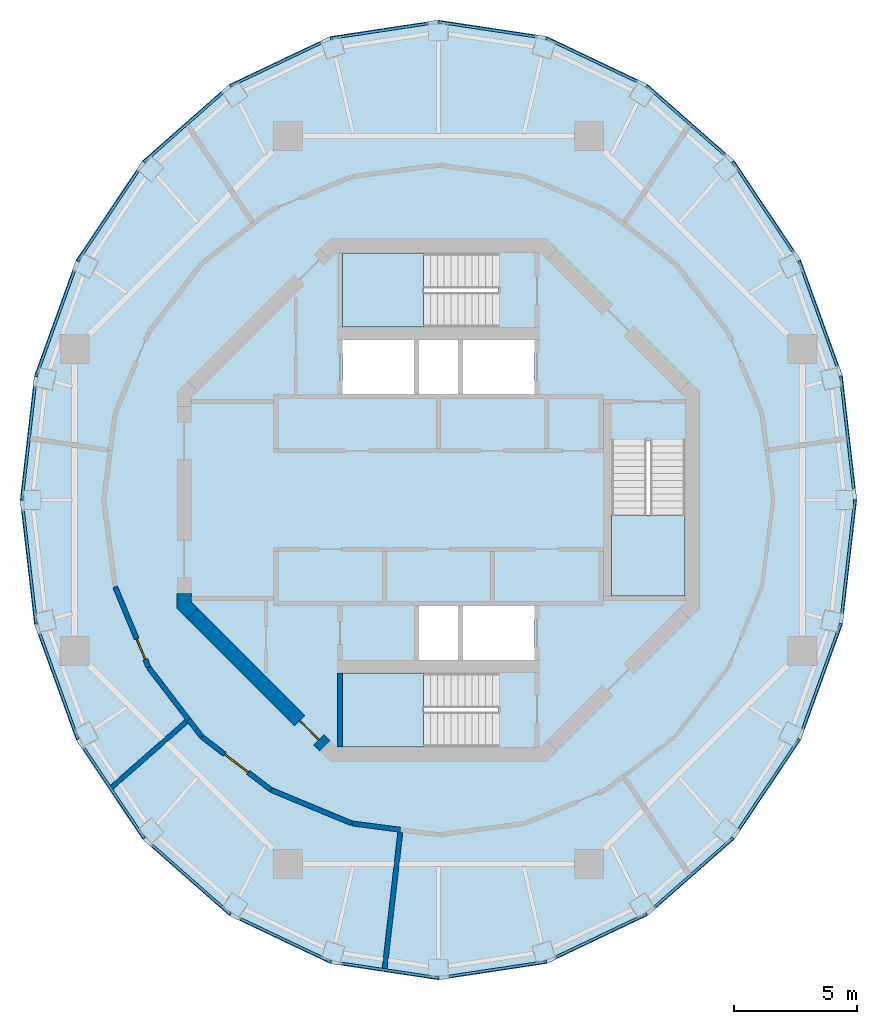
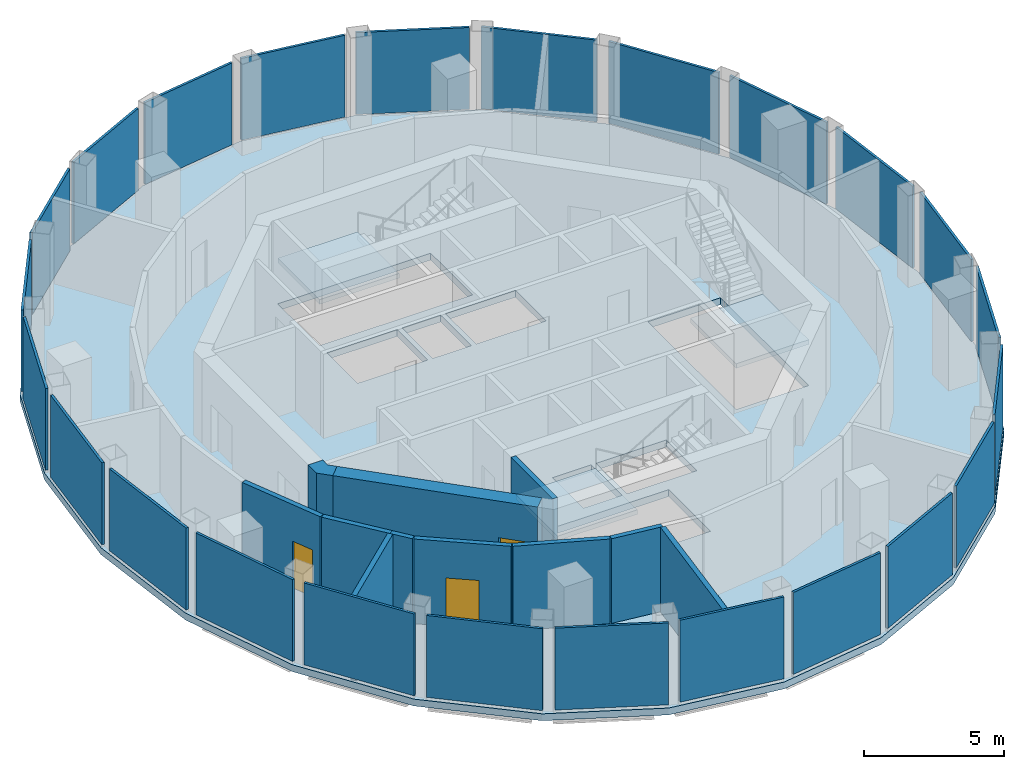
# One storey, part 7 of 11: 24 plates, 11 walls, 4 slabs, 3 doors, 3 openings, 27 elements without a shape of their own.
"""IFC4 building model written with IfcOpenShell, lengths in metres."""

from ifc_helpers import new_model, si_unit, direction, frame, frame_2d, origin, origin_2d, place, context, subcontext, project, spatial, polyline, rectangle, outline, extrude, material, layer, layer_set, type_object, element, fill, aggregate, save


model = new_model("IFC4")

# Units and contexts
model_context = context("Model", 3, precision=1e-05, world=origin(), true_north=direction((0.0, 1.0)))
body_context = subcontext(model_context, "Body", "Model", "MODEL_VIEW")
ifc_project = project(units=[si_unit("LENGTHUNIT", "METRE"), si_unit("AREAUNIT", "SQUARE_METRE"), si_unit("VOLUMEUNIT", "CUBIC_METRE"), si_unit("PLANEANGLEUNIT", "RADIAN"), si_unit("MASSUNIT", "GRAM", prefix="KILO")], contexts=[model_context])

# Site, building, storey
site_placement = place(None, origin())
site = spatial("IfcSite", under=ifc_project, at=site_placement, CompositionType="ELEMENT")
building_placement = place(site_placement, origin())
building = spatial("IfcBuilding", under=site, at=building_placement, Name="Nagisa Residences", CompositionType="ELEMENT")
storey_placement = place(building_placement, frame((0.0, 0.0, 336.89990234375)))
storey = spatial("IfcBuildingStorey", under=building, at=storey_placement, Name="L83", CompositionType="ELEMENT", Elevation=336.89990234375)

# Curtain wall, plate
ifc_material_1 = material(Name="Aluminium curtain wall system", Category="aluminium")
ifc_layer_1 = layer(ifc_material_1, 0.159912109375)
ifc_layer_set_1 = layer_set([ifc_layer_1], Name="CW5 CURTAIN WALL")
curtain_wall_type = type_object("IfcCurtainWallType", Name="CW5 CURTAIN WALL", PredefinedType="NOTDEFINED", material=ifc_layer_set_1)
curtain_wall_1_placement = place(storey_placement, origin())
curtain_wall_1 = element("IfcCurtainWall", 1, at=curtain_wall_1_placement, inside=storey, type_object=curtain_wall_type, Name="cw:CW5:L83:00", PredefinedType="NOTDEFINED")
ifc_material_2 = material(Name="Aluminium louvre", Category="aluminium")
ifc_layer_2 = layer(ifc_material_2, 0.10009765625)
ifc_layer_set_2 = layer_set([ifc_layer_2], Name="CW5 LOUVRE PANEL")
plate_type = type_object("IfcPlateType", Name="CW5 LOUVRE PANEL", PredefinedType="CURTAIN_PANEL", material=ifc_layer_set_2)
plate_1_placement = place(storey_placement, frame((16.604736328125, 2.742919921875, 0.1201171875), z_axis=(0.0, 0.0, 1.0), x_axis=(-0.114025397474, 0.993477835048, 0.0)))
plate_1 = element("IfcPlate", 2, at=plate_1_placement, type_object=plate_type, Name="CW5 panel", PredefinedType="CURTAIN_PANEL", context=body_context, shape_type="SweptSolid", body=[
    extrude(rectangle(XDim=4.6201171875, YDim=0.10009765625, at=origin_2d()), origin(), (0.0, 0.0, 1.0), 3.580078125),
])
aggregate(curtain_wall_1, [plate_1])

curtain_wall_2_placement = place(storey_placement, origin())
curtain_wall_2 = element("IfcCurtainWall", 3, at=curtain_wall_2_placement, inside=storey, type_object=curtain_wall_type, Name="cw:CW5:L83:01", PredefinedType="NOTDEFINED")
plate_2_placement = place(storey_placement, frame((15.418212890625, 7.587646484375, 0.1201171875), z_axis=(0.0, 0.0, 1.0), x_axis=(-0.339642923136, 0.940554456033, 0.0)))
plate_2 = element("IfcPlate", 4, at=plate_2_placement, type_object=plate_type, Name="CW5 panel", PredefinedType="CURTAIN_PANEL", context=body_context, shape_type="SweptSolid", body=[
    extrude(rectangle(XDim=4.540283203125, YDim=0.10009765625, at=origin_2d()), origin(), (0.0, 0.0, 1.0), 3.580078125),
])
aggregate(curtain_wall_2, [plate_2])

curtain_wall_3_placement = place(storey_placement, origin())
curtain_wall_3 = element("IfcCurtainWall", 5, at=curtain_wall_3_placement, inside=storey, type_object=curtain_wall_type, Name="cw:CW5:L83:02", PredefinedType="NOTDEFINED")
plate_3_placement = place(storey_placement, frame((13.17724609375, 11.916015625, 0.1201171875), z_axis=(0.0, 0.0, 1.0), x_axis=(-0.556014393027, 0.831172662415, 0.0)))
plate_3 = element("IfcPlate", 6, at=plate_3_placement, type_object=plate_type, Name="CW5 panel", PredefinedType="CURTAIN_PANEL", context=body_context, shape_type="SweptSolid", body=[
    extrude(rectangle(XDim=4.39892578125, YDim=0.10009765625, at=origin_2d()), origin(), (0.0, 0.0, 1.0), 3.580078125),
])
aggregate(curtain_wall_3, [plate_3])

curtain_wall_4_placement = place(storey_placement, origin())
curtain_wall_4 = element("IfcCurtainWall", 7, at=curtain_wall_4_placement, inside=storey, type_object=curtain_wall_type, Name="cw:CW5:L83:03", PredefinedType="NOTDEFINED")
plate_4_placement = place(storey_placement, frame((10.034912109375, 15.429931640625, 0.1201171875), z_axis=(0.0, 0.0, 1.0), x_axis=(-0.750650526795, 0.660699467703, 0.0)))
plate_4 = element("IfcPlate", 8, at=plate_4_placement, type_object=plate_type, Name="CW5 panel", PredefinedType="CURTAIN_PANEL", context=body_context, shape_type="SweptSolid", body=[
    extrude(rectangle(XDim=4.23046875, YDim=0.10009765625, at=origin_2d()), origin(), (0.0, 0.0, 1.0), 3.580078125),
])
aggregate(curtain_wall_4, [plate_4])

curtain_wall_5_placement = place(storey_placement, origin())
curtain_wall_5 = element("IfcCurtainWall", 9, at=curtain_wall_5_placement, inside=storey, type_object=curtain_wall_type, Name="cw:CW5:L83:04", PredefinedType="NOTDEFINED")
plate_5_placement = place(storey_placement, frame((6.2080078125, 17.887939453125, 0.1201171875), z_axis=(0.0, 0.0, 1.0), x_axis=(-0.903232929992, 0.429150642757, 0.0)))
plate_5 = element("IfcPlate", 10, at=plate_5_placement, type_object=plate_type, Name="CW5 panel", PredefinedType="CURTAIN_PANEL", context=body_context, shape_type="SweptSolid", body=[
    extrude(rectangle(XDim=4.079345703125, YDim=0.10009765625, at=origin_2d()), origin(), (0.0, 0.0, 1.0), 3.580078125),
])
aggregate(curtain_wall_5, [plate_5])

curtain_wall_6_placement = place(storey_placement, origin())
curtain_wall_6 = element("IfcCurtainWall", 11, at=curtain_wall_6_placement, inside=storey, type_object=curtain_wall_type, Name="cw:CW5:L83:05", PredefinedType="NOTDEFINED")
plate_6_placement = place(storey_placement, frame((1.960693359375, 19.123046875, 0.1201171875), z_axis=(0.0, 0.0, 1.0), x_axis=(-0.988788904158, 0.149320135997, 0.0)))
plate_6 = element("IfcPlate", 12, at=plate_6_placement, type_object=plate_type, Name="CW5 panel", PredefinedType="CURTAIN_PANEL", context=body_context, shape_type="SweptSolid", body=[
    extrude(rectangle(XDim=3.98974609375, YDim=0.10009765625, at=origin_2d()), origin(), (0.0, 0.0, 1.0), 3.580078125),
])
aggregate(curtain_wall_6, [plate_6])

curtain_wall_7_placement = place(storey_placement, origin())
curtain_wall_7 = element("IfcCurtainWall", 13, at=curtain_wall_7_placement, inside=storey, type_object=curtain_wall_type, Name="cw:CW5:L83:06", PredefinedType="NOTDEFINED")
plate_7_placement = place(storey_placement, frame((-2.41552734375, 19.054443359375, 0.1201171875), z_axis=(0.0, 0.0, 1.0), x_axis=(-0.988788904158, -0.149320135997, 0.0)))
plate_7 = element("IfcPlate", 14, at=plate_7_placement, type_object=plate_type, Name="CW5 panel", PredefinedType="CURTAIN_PANEL", context=body_context, shape_type="SweptSolid", body=[
    extrude(rectangle(XDim=3.98974609375, YDim=0.10009765625, at=origin_2d()), origin(), (0.0, 0.0, 1.0), 3.580078125),
])
aggregate(curtain_wall_7, [plate_7])

curtain_wall_8_placement = place(storey_placement, origin())
curtain_wall_8 = element("IfcCurtainWall", 15, at=curtain_wall_8_placement, inside=storey, type_object=curtain_wall_type, Name="cw:CW5:L83:07", PredefinedType="NOTDEFINED")
plate_8_placement = place(storey_placement, frame((-6.623291015625, 17.690673828125, 0.1201171875), z_axis=(0.0, 0.0, 1.0), x_axis=(-0.903232929992, -0.429150642757, 0.0)))
plate_8 = element("IfcPlate", 16, at=plate_8_placement, type_object=plate_type, Name="CW5 panel", PredefinedType="CURTAIN_PANEL", context=body_context, shape_type="SweptSolid", body=[
    extrude(rectangle(XDim=4.079345703125, YDim=0.10009765625, at=origin_2d()), origin(), (0.0, 0.0, 1.0), 3.580078125),
])
aggregate(curtain_wall_8, [plate_8])

curtain_wall_9_placement = place(storey_placement, origin())
curtain_wall_9 = element("IfcCurtainWall", 17, at=curtain_wall_9_placement, inside=storey, type_object=curtain_wall_type, Name="cw:CW5:L83:08", PredefinedType="NOTDEFINED")
plate_9_placement = place(storey_placement, frame((-10.380126953125, 15.1259765625, 0.1201171875), z_axis=(0.0, 0.0, 1.0), x_axis=(-0.750650526795, -0.660699467703, 0.0)))
plate_9 = element("IfcPlate", 18, at=plate_9_placement, type_object=plate_type, Name="CW5 panel", PredefinedType="CURTAIN_PANEL", context=body_context, shape_type="SweptSolid", body=[
    extrude(rectangle(XDim=4.23046875, YDim=0.10009765625, at=origin_2d()), origin(), (0.0, 0.0, 1.0), 3.580078125),
])
aggregate(curtain_wall_9, [plate_9])

curtain_wall_10_placement = place(storey_placement, origin())
curtain_wall_10 = element("IfcCurtainWall", 19, at=curtain_wall_10_placement, inside=storey, type_object=curtain_wall_type, Name="cw:CW5:L83:09", PredefinedType="NOTDEFINED")
plate_10_placement = place(storey_placement, frame((-13.43310546875, 11.53369140625, 0.1201171875), z_axis=(0.0, 0.0, 1.0), x_axis=(-0.556014393027, -0.831172662415, 0.0)))
plate_10 = element("IfcPlate", 20, at=plate_10_placement, type_object=plate_type, Name="CW5 panel", PredefinedType="CURTAIN_PANEL", context=body_context, shape_type="SweptSolid", body=[
    extrude(rectangle(XDim=4.39892578125, YDim=0.10009765625, at=origin_2d()), origin(), (0.0, 0.0, 1.0), 3.580078125),
])
aggregate(curtain_wall_10, [plate_10])

curtain_wall_11_placement = place(storey_placement, origin())
curtain_wall_11 = element("IfcCurtainWall", 21, at=curtain_wall_11_placement, inside=storey, type_object=curtain_wall_type, Name="cw:CW5:L83:10", PredefinedType="NOTDEFINED")
plate_11_placement = place(storey_placement, frame((-15.574462890625, 7.155029296875, 0.1201171875), z_axis=(0.0, 0.0, 1.0), x_axis=(-0.339642923136, -0.940554456033, 0.0)))
plate_11 = element("IfcPlate", 22, at=plate_11_placement, type_object=plate_type, Name="CW5 panel", PredefinedType="CURTAIN_PANEL", context=body_context, shape_type="SweptSolid", body=[
    extrude(rectangle(XDim=4.540283203125, YDim=0.10009765625, at=origin_2d()), origin(), (0.0, 0.0, 1.0), 3.580078125),
])
aggregate(curtain_wall_11, [plate_11])

curtain_wall_12_placement = place(storey_placement, origin())
curtain_wall_12 = element("IfcCurtainWall", 23, at=curtain_wall_12_placement, inside=storey, type_object=curtain_wall_type, Name="cw:CW5:L83:11", PredefinedType="NOTDEFINED")
plate_12_placement = place(storey_placement, frame((-16.6572265625, 2.285888671875, 0.1201171875), z_axis=(0.0, 0.0, 1.0), x_axis=(-0.114025397474, -0.993477835048, 0.0)))
plate_12 = element("IfcPlate", 24, at=plate_12_placement, type_object=plate_type, Name="CW5 panel", PredefinedType="CURTAIN_PANEL", context=body_context, shape_type="SweptSolid", body=[
    extrude(rectangle(XDim=4.6201171875, YDim=0.10009765625, at=origin_2d()), origin(), (0.0, 0.0, 1.0), 3.580078125),
])
aggregate(curtain_wall_12, [plate_12])

curtain_wall_13_placement = place(storey_placement, origin())
curtain_wall_13 = element("IfcCurtainWall", 25, at=curtain_wall_13_placement, inside=storey, type_object=curtain_wall_type, Name="cw:CW5:L83:12", PredefinedType="NOTDEFINED")
plate_13_placement = place(storey_placement, frame((-16.604736328125, -2.742919921875, 0.1201171875), z_axis=(0.0, 0.0, 1.0), x_axis=(0.114025397474, -0.993477835048, 0.0)))
plate_13 = element("IfcPlate", 26, at=plate_13_placement, type_object=plate_type, Name="CW5 panel", PredefinedType="CURTAIN_PANEL", context=body_context, shape_type="SweptSolid", body=[
    extrude(rectangle(XDim=4.6201171875, YDim=0.10009765625, at=origin_2d()), origin(), (0.0, 0.0, 1.0), 3.580078125),
])
aggregate(curtain_wall_13, [plate_13])

curtain_wall_14_placement = place(storey_placement, origin())
curtain_wall_14 = element("IfcCurtainWall", 27, at=curtain_wall_14_placement, inside=storey, type_object=curtain_wall_type, Name="cw:CW5:L83:13", PredefinedType="NOTDEFINED")
plate_14_placement = place(storey_placement, frame((-15.418212890625, -7.587646484375, 0.1201171875), z_axis=(0.0, 0.0, 1.0), x_axis=(0.339642923136, -0.940554456033, 0.0)))
plate_14 = element("IfcPlate", 28, at=plate_14_placement, type_object=plate_type, Name="CW5 panel", PredefinedType="CURTAIN_PANEL", context=body_context, shape_type="SweptSolid", body=[
    extrude(rectangle(XDim=4.540283203125, YDim=0.10009765625, at=origin_2d()), origin(), (0.0, 0.0, 1.0), 3.580078125),
])
aggregate(curtain_wall_14, [plate_14])

curtain_wall_15_placement = place(storey_placement, origin())
curtain_wall_15 = element("IfcCurtainWall", 29, at=curtain_wall_15_placement, inside=storey, type_object=curtain_wall_type, Name="cw:CW5:L83:14", PredefinedType="NOTDEFINED")
plate_15_placement = place(storey_placement, frame((-13.17724609375, -11.916015625, 0.1201171875), z_axis=(0.0, 0.0, 1.0), x_axis=(0.556014393027, -0.831172662415, 0.0)))
plate_15 = element("IfcPlate", 30, at=plate_15_placement, type_object=plate_type, Name="CW5 panel", PredefinedType="CURTAIN_PANEL", context=body_context, shape_type="SweptSolid", body=[
    extrude(rectangle(XDim=4.39892578125, YDim=0.10009765625, at=origin_2d()), origin(), (0.0, 0.0, 1.0), 3.580078125),
])
aggregate(curtain_wall_15, [plate_15])

curtain_wall_16_placement = place(storey_placement, origin())
curtain_wall_16 = element("IfcCurtainWall", 31, at=curtain_wall_16_placement, inside=storey, type_object=curtain_wall_type, Name="cw:CW5:L83:15", PredefinedType="NOTDEFINED")
plate_16_placement = place(storey_placement, frame((-10.034912109375, -15.429931640625, 0.1201171875), z_axis=(0.0, 0.0, 1.0), x_axis=(0.750650526795, -0.660699467703, 0.0)))
plate_16 = element("IfcPlate", 32, at=plate_16_placement, type_object=plate_type, Name="CW5 panel", PredefinedType="CURTAIN_PANEL", context=body_context, shape_type="SweptSolid", body=[
    extrude(rectangle(XDim=4.23046875, YDim=0.10009765625, at=origin_2d()), origin(), (0.0, 0.0, 1.0), 3.580078125),
])
aggregate(curtain_wall_16, [plate_16])

curtain_wall_17_placement = place(storey_placement, origin())
curtain_wall_17 = element("IfcCurtainWall", 33, at=curtain_wall_17_placement, inside=storey, type_object=curtain_wall_type, Name="cw:CW5:L83:16", PredefinedType="NOTDEFINED")
plate_17_placement = place(storey_placement, frame((-6.2080078125, -17.887939453125, 0.1201171875), z_axis=(0.0, 0.0, 1.0), x_axis=(0.903232929992, -0.429150642757, 0.0)))
plate_17 = element("IfcPlate", 34, at=plate_17_placement, type_object=plate_type, Name="CW5 panel", PredefinedType="CURTAIN_PANEL", context=body_context, shape_type="SweptSolid", body=[
    extrude(rectangle(XDim=4.079345703125, YDim=0.10009765625, at=origin_2d()), origin(), (0.0, 0.0, 1.0), 3.580078125),
])
aggregate(curtain_wall_17, [plate_17])

curtain_wall_18_placement = place(storey_placement, origin())
curtain_wall_18 = element("IfcCurtainWall", 35, at=curtain_wall_18_placement, inside=storey, type_object=curtain_wall_type, Name="cw:CW5:L83:17", PredefinedType="NOTDEFINED")
plate_18_placement = place(storey_placement, frame((-1.960693359375, -19.123046875, 0.1201171875), z_axis=(0.0, 0.0, 1.0), x_axis=(0.988788904158, -0.149320135997, 0.0)))
plate_18 = element("IfcPlate", 36, at=plate_18_placement, type_object=plate_type, Name="CW5 panel", PredefinedType="CURTAIN_PANEL", context=body_context, shape_type="SweptSolid", body=[
    extrude(rectangle(XDim=3.98974609375, YDim=0.10009765625, at=origin_2d()), origin(), (0.0, 0.0, 1.0), 3.580078125),
])
aggregate(curtain_wall_18, [plate_18])

curtain_wall_19_placement = place(storey_placement, origin())
curtain_wall_19 = element("IfcCurtainWall", 37, at=curtain_wall_19_placement, inside=storey, type_object=curtain_wall_type, Name="cw:CW5:L83:18", PredefinedType="NOTDEFINED")
plate_19_placement = place(storey_placement, frame((2.41552734375, -19.054443359375, 0.1201171875), z_axis=(0.0, 0.0, 1.0), x_axis=(0.988788904158, 0.149320135997, 0.0)))
plate_19 = element("IfcPlate", 38, at=plate_19_placement, type_object=plate_type, Name="CW5 panel", PredefinedType="CURTAIN_PANEL", context=body_context, shape_type="SweptSolid", body=[
    extrude(rectangle(XDim=3.98974609375, YDim=0.10009765625, at=origin_2d()), origin(), (0.0, 0.0, 1.0), 3.580078125),
])
aggregate(curtain_wall_19, [plate_19])

curtain_wall_20_placement = place(storey_placement, origin())
curtain_wall_20 = element("IfcCurtainWall", 39, at=curtain_wall_20_placement, inside=storey, type_object=curtain_wall_type, Name="cw:CW5:L83:19", PredefinedType="NOTDEFINED")
plate_20_placement = place(storey_placement, frame((6.623291015625, -17.690673828125, 0.1201171875), z_axis=(0.0, 0.0, 1.0), x_axis=(0.903232929992, 0.429150642757, 0.0)))
plate_20 = element("IfcPlate", 40, at=plate_20_placement, type_object=plate_type, Name="CW5 panel", PredefinedType="CURTAIN_PANEL", context=body_context, shape_type="SweptSolid", body=[
    extrude(rectangle(XDim=4.079345703125, YDim=0.10009765625, at=origin_2d()), origin(), (0.0, 0.0, 1.0), 3.580078125),
])
aggregate(curtain_wall_20, [plate_20])

curtain_wall_21_placement = place(storey_placement, origin())
curtain_wall_21 = element("IfcCurtainWall", 41, at=curtain_wall_21_placement, inside=storey, type_object=curtain_wall_type, Name="cw:CW5:L83:20", PredefinedType="NOTDEFINED")
plate_21_placement = place(storey_placement, frame((10.380126953125, -15.1259765625, 0.1201171875), z_axis=(0.0, 0.0, 1.0), x_axis=(0.750650526795, 0.660699467703, 0.0)))
plate_21 = element("IfcPlate", 42, at=plate_21_placement, type_object=plate_type, Name="CW5 panel", PredefinedType="CURTAIN_PANEL", context=body_context, shape_type="SweptSolid", body=[
    extrude(rectangle(XDim=4.23046875, YDim=0.10009765625, at=origin_2d()), origin(), (0.0, 0.0, 1.0), 3.580078125),
])
aggregate(curtain_wall_21, [plate_21])

curtain_wall_22_placement = place(storey_placement, origin())
curtain_wall_22 = element("IfcCurtainWall", 43, at=curtain_wall_22_placement, inside=storey, type_object=curtain_wall_type, Name="cw:CW5:L83:21", PredefinedType="NOTDEFINED")
plate_22_placement = place(storey_placement, frame((13.43310546875, -11.53369140625, 0.1201171875), z_axis=(0.0, 0.0, 1.0), x_axis=(0.556014393027, 0.831172662415, 0.0)))
plate_22 = element("IfcPlate", 44, at=plate_22_placement, type_object=plate_type, Name="CW5 panel", PredefinedType="CURTAIN_PANEL", context=body_context, shape_type="SweptSolid", body=[
    extrude(rectangle(XDim=4.39892578125, YDim=0.10009765625, at=origin_2d()), origin(), (0.0, 0.0, 1.0), 3.580078125),
])
aggregate(curtain_wall_22, [plate_22])

curtain_wall_23_placement = place(storey_placement, origin())
curtain_wall_23 = element("IfcCurtainWall", 45, at=curtain_wall_23_placement, inside=storey, type_object=curtain_wall_type, Name="cw:CW5:L83:22", PredefinedType="NOTDEFINED")
plate_23_placement = place(storey_placement, frame((15.574462890625, -7.155029296875, 0.1201171875), z_axis=(0.0, 0.0, 1.0), x_axis=(0.339642923136, 0.940554456033, 0.0)))
plate_23 = element("IfcPlate", 46, at=plate_23_placement, type_object=plate_type, Name="CW5 panel", PredefinedType="CURTAIN_PANEL", context=body_context, shape_type="SweptSolid", body=[
    extrude(rectangle(XDim=4.540283203125, YDim=0.10009765625, at=origin_2d()), origin(), (0.0, 0.0, 1.0), 3.580078125),
])
aggregate(curtain_wall_23, [plate_23])

curtain_wall_24_placement = place(storey_placement, origin())
curtain_wall_24 = element("IfcCurtainWall", 47, at=curtain_wall_24_placement, inside=storey, type_object=curtain_wall_type, Name="cw:CW5:L83:23", PredefinedType="NOTDEFINED")
plate_24_placement = place(storey_placement, frame((16.6572265625, -2.285888671875, 0.1201171875), z_axis=(0.0, 0.0, 1.0), x_axis=(0.114025397474, 0.993477835048, 0.0)))
plate_24 = element("IfcPlate", 48, at=plate_24_placement, type_object=plate_type, Name="CW5 panel", PredefinedType="CURTAIN_PANEL", context=body_context, shape_type="SweptSolid", body=[
    extrude(rectangle(XDim=4.6201171875, YDim=0.10009765625, at=origin_2d()), origin(), (0.0, 0.0, 1.0), 3.580078125),
])
aggregate(curtain_wall_24, [plate_24])

# Slab
ifc_material_3 = material(Name="Concrete C40", Category="concrete")
ifc_layer_3 = layer(ifc_material_3, 0.300048828125)
ifc_layer_set_3 = layer_set([ifc_layer_3], Name="Floor slab 300")
slab_type_1 = type_object("IfcSlabType", Name="Floor slab 300", PredefinedType="FLOOR", material=ifc_layer_set_3)
slab_1_placement = place(storey_placement, frame((0.0, 0.0, -0.2998046875)))
element("IfcSlab", 49, at=slab_1_placement, inside=storey, type_object=slab_type_1, Name="slab:L83:floor", PredefinedType="FLOOR", context=body_context, shape_type="SweptSolid", body=[
    extrude(outline(polyline([(17.0, 0.0), (16.420654296875, 5.046875), (14.722412109375, 9.75), (12.020751953125, 13.78857421875), (8.5, 16.887451171875), (4.39990234375, 18.83544921875), (0.0, 19.5), (-4.39990234375, 18.83544921875), (-8.5, 16.887451171875), (-12.020751953125, 13.78857421875), (-14.722412109375, 9.75), (-16.420654296875, 5.046875), (-17.0, 0.0), (-16.420654296875, -5.046875), (-14.722412109375, -9.75), (-12.020751953125, -13.78857421875), (-8.5, -16.887451171875), (-4.39990234375, -18.83544921875), (0.0, -19.5), (4.39990234375, -18.83544921875), (8.5, -16.887451171875), (12.020751953125, -13.78857421875), (14.722412109375, -9.75), (16.420654296875, -5.046875), (17.0, 0.0)]), holes=[polyline([(3.89990234375, 4.300048828125), (3.89990234375, 6.5), (1.0, 6.5), (1.0, 4.300048828125), (3.89990234375, 4.300048828125)]), polyline([(3.89990234375, -6.5), (3.89990234375, -4.300048828125), (1.0, -4.300048828125), (1.0, -6.5), (3.89990234375, -6.5)]), polyline([(-1.0, 4.300048828125), (-1.0, 6.5), (-3.89990234375, 6.5), (-3.89990234375, 4.300048828125), (-1.0, 4.300048828125)]), polyline([(0.800048828125, 4.300048828125), (0.800048828125, 6.5), (-0.800048828125, 6.5), (-0.800048828125, 4.300048828125), (0.800048828125, 4.300048828125)]), polyline([(0.800048828125, -6.5), (0.800048828125, -4.300048828125), (-0.800048828125, -4.300048828125), (-0.800048828125, -6.5), (0.800048828125, -6.5)]), polyline([(10.024658203125, -3.89990234375), (7.024658203125, -3.89990234375), (7.024658203125, 2.425048828125), (10.024658203125, 2.425048828125), (10.024658203125, -3.89990234375)]), polyline([(-3.89990234375, 7.024658203125), (-3.89990234375, 10.024658203125), (2.425048828125, 10.024658203125), (2.425048828125, 7.024658203125), (-3.89990234375, 7.024658203125)]), polyline([(-3.89990234375, -10.024658203125), (-3.89990234375, -7.024658203125), (2.425048828125, -7.024658203125), (2.425048828125, -10.024658203125), (-3.89990234375, -10.024658203125)])]), origin(), (0.0, 0.0, 1.0), 0.2998046875),
])

# Stair, slab
ifc_material_4 = material(Name="Concrete C60", Category="concrete")
stair_type = type_object("IfcStairType", Name="Exit stair", PredefinedType="HALF_TURN_STAIR", material=ifc_material_4)
stair_1_placement = place(storey_placement, origin())
stair_1 = element("IfcStair", 50, at=stair_1_placement, inside=storey, type_object=stair_type, Name="L83 Exit stair E", PredefinedType="HALF_TURN_STAIR")
ifc_material_5 = material(Name="Concrete C60", Category="concrete")
ifc_layer_4 = layer(ifc_material_5, 0.199951171875)
ifc_layer_set_4 = layer_set([ifc_layer_4], Name="Stair landing")
slab_type_2 = type_object("IfcSlabType", Name="Stair landing", PredefinedType="LANDING", material=ifc_layer_set_4)
slab_2_placement = place(storey_placement, frame((0.0, 0.0, 1.800048828125)))
slab_2 = element("IfcSlab", 51, at=slab_2_placement, type_object=slab_type_2, Name="ST-E landing 1", PredefinedType="LANDING", context=body_context, shape_type="SweptSolid", body=[
    extrude(outline(polyline([(7.024658203125, -0.60498046875), (7.024658203125, -3.89990234375), (10.024658203125, -3.89990234375), (10.024658203125, -0.60498046875), (7.024658203125, -0.60498046875)])), origin(), (0.0, 0.0, 1.0), 0.199951171875),
])
aggregate(stair_1, [slab_2])

stair_2_placement = place(storey_placement, origin())
stair_2 = element("IfcStair", 52, at=stair_2_placement, inside=storey, type_object=stair_type, Name="L83 Exit stair N", PredefinedType="HALF_TURN_STAIR")
slab_3_placement = place(storey_placement, frame((0.0, 0.0, 1.800048828125)))
slab_3 = element("IfcSlab", 53, at=slab_3_placement, type_object=slab_type_2, Name="ST-N landing 1", PredefinedType="LANDING", context=body_context, shape_type="SweptSolid", body=[
    extrude(outline(polyline([(-0.60498046875, 10.024658203125), (-3.89990234375, 10.024658203125), (-3.89990234375, 7.024658203125), (-0.60498046875, 7.024658203125), (-0.60498046875, 10.024658203125)])), origin(), (0.0, 0.0, 1.0), 0.199951171875),
])
aggregate(stair_2, [slab_3])

stair_3_placement = place(storey_placement, origin())
stair_3 = element("IfcStair", 54, at=stair_3_placement, inside=storey, type_object=stair_type, Name="L83 Exit stair S", PredefinedType="HALF_TURN_STAIR")
slab_4_placement = place(storey_placement, frame((0.0, 0.0, 1.800048828125)))
slab_4 = element("IfcSlab", 55, at=slab_4_placement, type_object=slab_type_2, Name="ST-S landing 1", PredefinedType="LANDING", context=body_context, shape_type="SweptSolid", body=[
    extrude(outline(polyline([(-0.60498046875, -7.024658203125), (-3.89990234375, -7.024658203125), (-3.89990234375, -10.024658203125), (-0.60498046875, -10.024658203125), (-0.60498046875, -7.024658203125)])), origin(), (0.0, 0.0, 1.0), 0.199951171875),
])
aggregate(stair_3, [slab_4])

# Wall, opening, door
ifc_material_6 = material(Name="Concrete C60", Category="concrete")
ifc_layer_5 = layer(ifc_material_6, 0.60009765625)
ifc_layer_set_5 = layer_set([ifc_layer_5], Name="Core shear wall 600")
wall_type_1 = type_object("IfcWallType", Name="Core shear wall 600", PredefinedType="SHEAR", material=ifc_layer_set_5)
wall_1_placement = place(storey_placement, frame((-9.98828125, -4.613037109375, 0.0), z_axis=(0.0, 0.0, 1.0), x_axis=(0.707106781187, -0.707106781187, 0.0)))
wall_1 = element("IfcWall", 56, at=wall_1_placement, inside=storey, type_object=wall_type_1, Name="wall:L83:core:flat5", PredefinedType="SHEAR", context=body_context, shape_type="SweptSolid", body=[
    extrude(rectangle(XDim=7.601806640625, YDim=0.60009765625, at=frame_2d((3.80078125, 0.0))), origin(), (0.0, 0.0, 1.0), 3.7001953125),
])
opening_1_placement = place(wall_1_placement, frame((6.15087890625, 0.0, 0.0)))
opening_1 = element("IfcOpeningElement", 57, at=opening_1_placement, cuts=wall_1, Name="Opening L83-C21", PredefinedType="OPENING", context=body_context, shape_type="SweptSolid", body=[
    extrude(rectangle(XDim=1.10009765625, YDim=2.10009765625, at=frame_2d((0.550048828125, 1.050048828125))), frame((0.0, 0.31005859375, 0.0), z_axis=(0.0, -1.0, 0.0), x_axis=(1.0, 0.0, 0.0)), (0.0, 0.0, 1.0), 0.6201171875),
])
ifc_material_7 = material(Name="Steel fire door", Category="steel")
door_type_1 = type_object("IfcDoorType", Name="Fire door EI60 1100x2100 single swing", OperationType="NOTDEFINED", PredefinedType="DOOR", material=ifc_material_7)
door_1_placement = place(opening_1_placement, origin())
door_1 = element("IfcDoor", 58, at=door_1_placement, inside=storey, type_object=door_type_1, Name="Housekeeping lobby door L83", OperationType="SINGLE_SWING_RIGHT", OverallHeight=2.10009765625, OverallWidth=1.10009765625, PredefinedType="DOOR", context=body_context, shape_type="SweptSolid", body=[
    extrude(rectangle(XDim=1.10009765625, YDim=2.10009765625, at=frame_2d((0.550048828125, 1.050048828125))), frame((0.0, 0.02490234375, 0.0), z_axis=(0.0, -1.0, 0.0), x_axis=(1.0, 0.0, 0.0)), (0.0, 0.0, 1.0), 0.050048828125),
])
fill(opening_1, door_1)

# Wall
wall_2_placement = place(storey_placement, origin())
element("IfcWall", 59, at=wall_2_placement, inside=storey, type_object=wall_type_1, Name="wall:L83:core:pier4", PredefinedType="SHEAR", context=body_context, shape_type="SweptSolid", body=[
    extrude(outline(polyline([(-10.62451171875, -3.80078125), (-10.024658203125, -3.80078125), (-10.024658203125, -4.15234375), (-9.776123046875, -4.40087890625), (-10.200439453125, -4.8251953125), (-10.62451171875, -4.40087890625), (-10.62451171875, -3.80078125)])), origin(), (0.0, 0.0, 1.0), 3.7001953125),
])

# Wall, opening, door
ifc_material_8 = material(Name="Gypsum board on steel studs", Category="steel")
ifc_layer_6 = layer(ifc_material_8, 0.199951171875)
ifc_layer_set_6 = layer_set([ifc_layer_6], Name="Plant room wall EI120 200")
wall_type_2 = type_object("IfcWallType", Name="Plant room wall EI120 200", PredefinedType="PARTITIONING", material=ifc_layer_set_6)
wall_3_placement = place(storey_placement, frame((-11.78369140625, -6.785888671875, 0.0), z_axis=(0.0, 0.0, 1.0), x_axis=(-0.382723413813, 0.92386297064, 0.0)))
wall_3 = element("IfcWall", 60, at=wall_3_placement, inside=storey, type_object=wall_type_2, Name="wall:L83:am010", PredefinedType="PARTITIONING", context=body_context, shape_type="SweptSolid", body=[
    extrude(rectangle(XDim=3.52001953125, YDim=0.199951171875, at=frame_2d((1.760009765625, 0.0))), origin(), (0.0, 0.0, 1.0), 3.7001953125),
])
opening_2_placement = place(wall_3_placement, frame((0.34228515625, 0.0, 0.0)))
opening_2 = element("IfcOpeningElement", 61, at=opening_2_placement, cuts=wall_3, Name="Opening L83-A04", PredefinedType="OPENING", context=body_context, shape_type="SweptSolid", body=[
    extrude(rectangle(XDim=0.89990234375, YDim=2.10009765625, at=frame_2d((0.449951171875, 1.050048828125))), frame((0.0, 0.10986328125, 0.0), z_axis=(0.0, -1.0, 0.0), x_axis=(1.0, 0.0, 0.0)), (0.0, 0.0, 1.0), 0.219970703125),
])
ifc_material_9 = material(Name="Steel fire door", Category="steel")
door_type_2 = type_object("IfcDoorType", Name="Fire door EI120 900x2100 single swing", OperationType="NOTDEFINED", PredefinedType="DOOR", material=ifc_material_9)
door_2_placement = place(opening_2_placement, origin())
door_2 = element("IfcDoor", 62, at=door_2_placement, inside=storey, type_object=door_type_2, Name="Telecom equipment room door", OperationType="SINGLE_SWING_RIGHT", OverallHeight=2.10009765625, OverallWidth=0.89990234375, PredefinedType="DOOR", context=body_context, shape_type="SweptSolid", body=[
    extrude(rectangle(XDim=0.89990234375, YDim=2.10009765625, at=frame_2d((0.449951171875, 1.050048828125))), frame((0.0, 0.02490234375, 0.0), z_axis=(0.0, -1.0, 0.0), x_axis=(1.0, 0.0, 0.0)), (0.0, 0.0, 1.0), 0.050048828125),
])
fill(opening_2, door_2)

# Walls
wall_4_placement = place(storey_placement, frame((-10.22412109375, -8.9892578125, 0.0), z_axis=(0.0, 0.0, 1.0), x_axis=(-0.750994766266, -0.660308156122, 0.0)))
element("IfcWall", 63, at=wall_4_placement, inside=storey, type_object=wall_type_2, Name="wall:L83:am012", PredefinedType="PARTITIONING", context=body_context, shape_type="SweptSolid", body=[
    extrude(rectangle(XDim=4.097412109375, YDim=0.199951171875, at=frame_2d((2.048828125, 0.0))), origin(), (0.0, 0.0, 1.0), 3.7001953125),
])
wall_5_placement = place(storey_placement, frame((-10.14892578125, -8.923095703125, 0.0), z_axis=(0.0, 0.0, 1.0), x_axis=(-0.608699260048, 0.793401040343, 0.0)))
element("IfcWall", 64, at=wall_5_placement, inside=storey, type_object=wall_type_2, Name="wall:L83:am013", PredefinedType="PARTITIONING", context=body_context, shape_type="SweptSolid", body=[
    extrude(rectangle(XDim=2.660888671875, YDim=0.199951171875, at=frame_2d((1.33056640625, 0.0))), origin(), (0.0, 0.0, 1.0), 3.7001953125),
])
wall_6_placement = place(storey_placement, frame((-9.6259765625, -9.604736328125, 0.0), z_axis=(0.0, 0.0, 1.0), x_axis=(-0.608694005511, 0.793405071609, 0.0)))
element("IfcWall", 65, at=wall_6_placement, inside=storey, type_object=wall_type_2, Name="wall:L83:am014", PredefinedType="PARTITIONING", context=body_context, shape_type="SweptSolid", body=[
    extrude(rectangle(XDim=0.859130859375, YDim=0.199951171875, at=frame_2d((0.4296875, 0.0))), origin(), (0.0, 0.0, 1.0), 3.7001953125),
])

# Wall, opening, door
wall_7_placement = place(storey_placement, frame((-6.81201171875, -11.7685546875, 0.0), z_axis=(0.0, 0.0, 1.0), x_axis=(-0.793402024283, 0.608697977542, 0.0)))
wall_7 = element("IfcWall", 66, at=wall_7_placement, inside=storey, type_object=wall_type_2, Name="wall:L83:am018", PredefinedType="PARTITIONING", context=body_context, shape_type="SweptSolid", body=[
    extrude(rectangle(XDim=3.52001953125, YDim=0.199951171875, at=frame_2d((1.760009765625, 0.0))), origin(), (0.0, 0.0, 1.0), 3.7001953125),
])
opening_3_placement = place(wall_7_placement, frame((1.159912109375, 0.0, 0.0)))
opening_3 = element("IfcOpeningElement", 67, at=opening_3_placement, cuts=wall_7, Name="Opening L83-A05", PredefinedType="OPENING", context=body_context, shape_type="SweptSolid", body=[
    extrude(rectangle(XDim=1.199951171875, YDim=2.10009765625, at=frame_2d((0.60009765625, 1.050048828125))), frame((0.0, 0.10986328125, 0.0), z_axis=(0.0, -1.0, 0.0), x_axis=(1.0, 0.0, 0.0)), (0.0, 0.0, 1.0), 0.219970703125),
])
ifc_material_10 = material(Name="Steel fire door", Category="steel")
door_type_3 = type_object("IfcDoorType", Name="Fire door EI120 1200x2100 single swing", OperationType="NOTDEFINED", PredefinedType="DOOR", material=ifc_material_10)
door_3_placement = place(opening_3_placement, frame((1.199951171875, 0.0, 0.0), x_axis=(-1.0, 0.0, 0.0)))
door_3 = element("IfcDoor", 68, at=door_3_placement, inside=storey, type_object=door_type_3, Name="Air handling plant room 3 door", OperationType="SINGLE_SWING_RIGHT", OverallHeight=2.10009765625, OverallWidth=1.199951171875, PredefinedType="DOOR", context=body_context, shape_type="SweptSolid", body=[
    extrude(rectangle(XDim=1.199951171875, YDim=2.10009765625, at=frame_2d((0.60009765625, 1.050048828125))), frame((0.0, 0.02490234375, 0.0), z_axis=(0.0, -1.0, 0.0), x_axis=(1.0, 0.0, 0.0)), (0.0, 0.0, 1.0), 0.050048828125),
])
fill(opening_3, door_3)

# Walls
wall_8_placement = place(storey_placement, frame((-3.533935546875, -13.130859375, 0.0), z_axis=(0.0, 0.0, 1.0), x_axis=(-0.92386297064, 0.382723413813, 0.0)))
element("IfcWall", 69, at=wall_8_placement, inside=storey, type_object=wall_type_2, Name="wall:L83:am020", PredefinedType="PARTITIONING", context=body_context, shape_type="SweptSolid", body=[
    extrude(rectangle(XDim=3.52001953125, YDim=0.199951171875, at=frame_2d((1.760009765625, 0.0))), origin(), (0.0, 0.0, 1.0), 3.7001953125),
])
wall_9_placement = place(storey_placement, frame((-1.5380859375, -13.3974609375, 0.0), z_axis=(0.0, 0.0, 1.0), x_axis=(-0.991454295543, 0.130454512571, 0.0)))
element("IfcWall", 70, at=wall_9_placement, inside=storey, type_object=wall_type_2, Name="wall:L83:am022", PredefinedType="PARTITIONING", context=body_context, shape_type="SweptSolid", body=[
    extrude(rectangle(XDim=1.983642578125, YDim=0.199951171875, at=frame_2d((0.99169921875, 0.0))), origin(), (0.0, 0.0, 1.0), 3.7001953125),
])
wall_10_placement = place(storey_placement, frame((-1.549560546875, -13.496826171875, 0.0), z_axis=(0.0, 0.0, 1.0), x_axis=(-0.114057329834, -0.993474169524, 0.0)))
element("IfcWall", 71, at=wall_10_placement, inside=storey, type_object=wall_type_2, Name="wall:L83:am023", PredefinedType="PARTITIONING", context=body_context, shape_type="SweptSolid", body=[
    extrude(rectangle(XDim=5.608154296875, YDim=0.199951171875, at=frame_2d((2.80419921875, 0.0))), origin(), (0.0, 0.0, 1.0), 3.7001953125),
])
ifc_material_11 = material(Name="Concrete C60", Category="concrete")
ifc_layer_7 = layer(ifc_material_11, 0.199951171875)
ifc_layer_set_7 = layer_set([ifc_layer_7], Name="Stair enclosure wall 200")
wall_type_3 = type_object("IfcWallType", Name="Stair enclosure wall 200", PredefinedType="SOLIDWALL", material=ifc_layer_set_7)
wall_11_placement = place(storey_placement, origin())
element("IfcWall", 72, at=wall_11_placement, inside=storey, type_object=wall_type_3, Name="wall:L83:SS_w", PredefinedType="SOLIDWALL", context=body_context, shape_type="SweptSolid", body=[
    extrude(outline(polyline([(-3.89990234375, -10.024658203125), (-4.10009765625, -10.024658203125), (-4.10009765625, -7.024658203125), (-3.89990234375, -7.024658203125), (-3.89990234375, -10.024658203125)])), origin(), (0.0, 0.0, 1.0), 3.7001953125),
])

save(model, "model.ifc")
